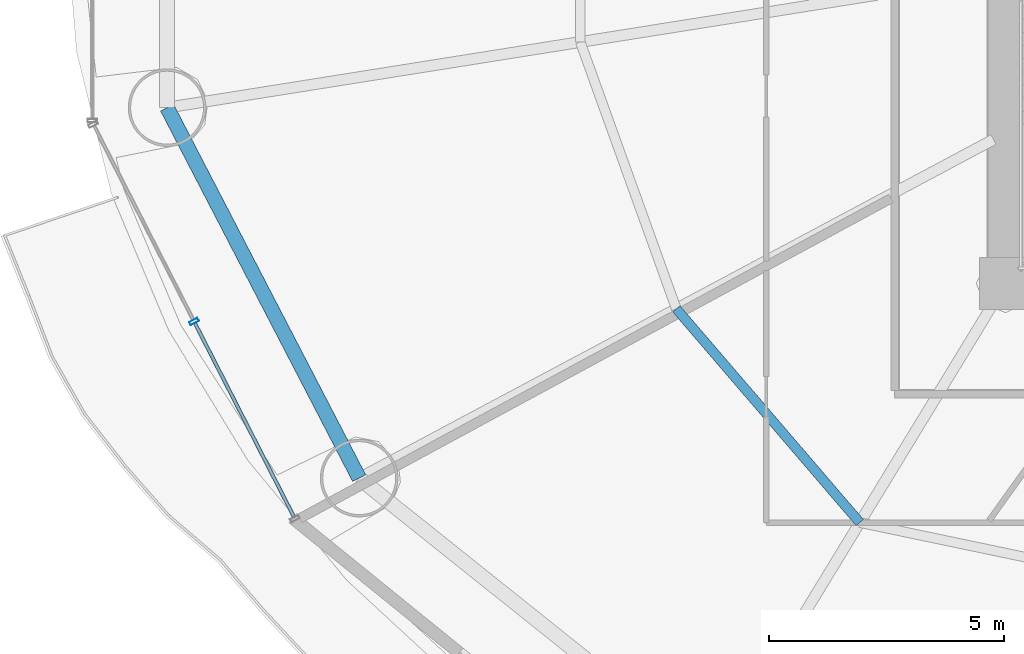
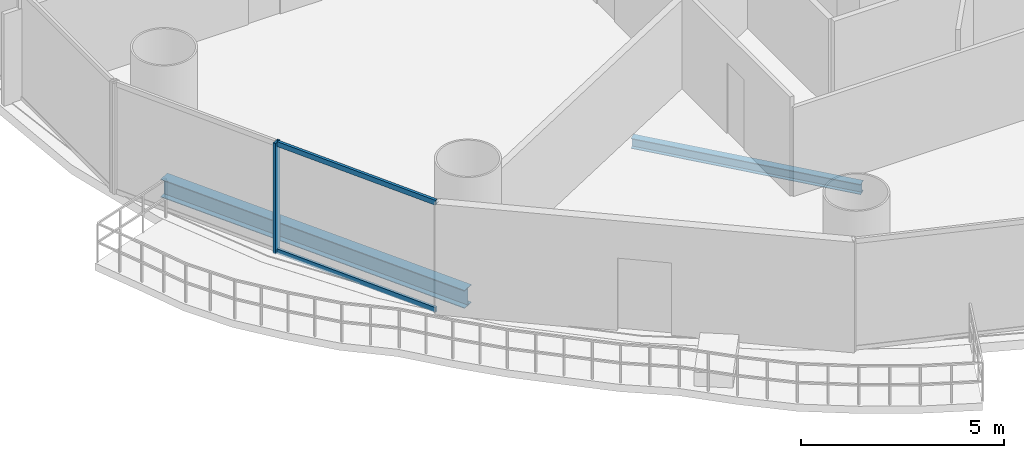
# One storey, part 3 of 30: 3 members, 2 beams, 1 element without a shape of its own.
"""IFC4 building model written with IfcOpenShell, lengths in metres."""

import ifcopenshell
import ifcopenshell.guid

model = None  # the IFC model being written
_history = None  # IfcOwnerHistory: only IFC2X3 demands one
_inside = {}  # id of a spatial element -> (the spatial element, [elements in it])
_under = {}  # id of a project, library or spatial element -> (it, [spatial elements below it])
_declared = {}  # id of a project -> (the project, [libraries it declares])
_typed = {}  # id of a type object -> (the type object, [elements of that type])
_made_of = {}  # id of a material, layer set ... -> (it, [elements and type objects made of it])


def new_model(schema):
    """Start an empty IFC model of exactly this schema.

    Asked for "IFC4X3", IfcOpenShell would pick the latest addendum, in which some entities
    have other attributes; the version numbers below select the first issue.
    IFC2X3 requires an IfcOwnerHistory on every rooted entity: one is made here for all.
    """
    global model, _history
    if schema == "IFC4X3":
        model = ifcopenshell.file(schema_version=(4, 3, 0, 0))
    else:
        model = ifcopenshell.file(schema=schema)
    _inside.clear()
    _under.clear()
    _declared.clear()
    _typed.clear()
    _made_of.clear()
    _history = None
    if model.schema == "IFC2X3":
        org = make("IfcOrganization", Name="unknown")
        user = make(
            "IfcPersonAndOrganization",
            ThePerson=make("IfcPerson", FamilyName="unknown"),
            TheOrganization=org,
        )
        app = make(
            "IfcApplication",
            ApplicationDeveloper=org,
            Version="unknown",
            ApplicationFullName="unknown",
            ApplicationIdentifier="unknown",
        )
        _history = make(
            "IfcOwnerHistory",
            OwningUser=user,
            OwningApplication=app,
            ChangeAction="ADDED",
            CreationDate=0,
        )
    return model


def make(cls, **values):
    """One entity of the class cls with the attributes given. An attribute that is None is left unset."""
    return model.create_entity(
        cls, **{name: value for name, value in values.items() if value is not None}
    )


def rooted(cls, **values):
    """An entity with a GlobalId (a new one), such as an element, a storey or a relation."""
    return make(cls, GlobalId=ifcopenshell.guid.new(), OwnerHistory=_history, **values)


def si_unit(unit_type, name, prefix=None):
    """IfcSIUnit, for example si_unit("LENGTHUNIT", "METRE", prefix="MILLI")."""
    return make("IfcSIUnit", UnitType=unit_type, Prefix=prefix, Name=name)


def assignment(units):
    """IfcUnitAssignment: the units of a project."""
    return None if units is None else make("IfcUnitAssignment", Units=units)


def point(xyz):
    """IfcCartesianPoint."""
    return None if xyz is None else make("IfcCartesianPoint", Coordinates=xyz)


def direction(xyz):
    """IfcDirection."""
    return None if xyz is None else make("IfcDirection", DirectionRatios=xyz)


def frame(location, z_axis=None, x_axis=None):
    """IfcAxis2Placement3D, a coordinate frame: its origin and axes. An axis left out is left unset."""
    return make(
        "IfcAxis2Placement3D",
        Location=point(location),
        Axis=direction(z_axis),
        RefDirection=direction(x_axis),
    )


def frame_2d(location, x_axis=None):
    """IfcAxis2Placement2D, a coordinate frame in the plane: its origin and x axis."""
    return make(
        "IfcAxis2Placement2D", Location=point(location), RefDirection=direction(x_axis)
    )


def origin():
    """The frame at (0, 0, 0) with its axes left unset."""
    return frame((0.0, 0.0, 0.0))


def origin_2d():
    """The frame at (0, 0) in the plane with its x axis left unset."""
    return frame_2d((0.0, 0.0))


def place(relative_to, where):
    """IfcLocalPlacement: puts the frame where relative to a parent placement (None: the world)."""
    return make(
        "IfcLocalPlacement", PlacementRelTo=relative_to, RelativePlacement=where
    )


def context(
    kind, dimensions, precision=None, world=None, true_north=None, identifier=None
):
    """IfcGeometricRepresentationContext, for example the 3D "Model" context."""
    return make(
        "IfcGeometricRepresentationContext",
        ContextIdentifier=identifier,
        ContextType=kind,
        CoordinateSpaceDimension=dimensions,
        Precision=precision,
        WorldCoordinateSystem=world,
        TrueNorth=true_north,
    )


def subcontext(parent, identifier, kind, view, scale=None):
    """IfcGeometricRepresentationSubContext, for example "Body" below "Model"."""
    return make(
        "IfcGeometricRepresentationSubContext",
        ContextIdentifier=identifier,
        ContextType=kind,
        ParentContext=parent,
        TargetScale=scale,
        TargetView=view,
    )


def project(units=None, contexts=None):
    """IfcProject with its units and contexts."""
    return rooted(
        "IfcProject",
        Name="project",
        RepresentationContexts=contexts,
        UnitsInContext=assignment(units),
    )


def spatial(cls, under=None, at=None, **own):
    """A site, building, storey or space (cls), placed at a placement, below another one or the project."""
    s = rooted(cls, ObjectPlacement=at, **own)
    if under is not None:
        _under.setdefault(under.id(), (under, []))[1].append(s)
    return s


def profile(cls, at=None, kind="AREA", **sizes):
    """A parametric profile (cls). Its sizes go by their IFC names, for example OverallWidth=200.0."""
    return make(cls, ProfileType=kind, Position=at, **sizes)


def hollow_rectangle(**sizes):
    """IfcRectangleHollowProfileDef."""
    return profile("IfcRectangleHollowProfileDef", **sizes)


def i_section(**sizes):
    """IfcIShapeProfileDef."""
    return profile("IfcIShapeProfileDef", **sizes)


def extrude(swept, where, along, depth):
    """IfcExtrudedAreaSolid: the profile swept, set in the frame where, extruded along a direction by depth."""
    return make(
        "IfcExtrudedAreaSolid",
        SweptArea=swept,
        Position=where,
        ExtrudedDirection=direction(along),
        Depth=depth,
    )


def shape(context_of_items, identifier, shape_type, items):
    """IfcShapeRepresentation: the items that make up one representation, for example the "Body"."""
    return make(
        "IfcShapeRepresentation",
        ContextOfItems=context_of_items,
        RepresentationIdentifier=identifier,
        RepresentationType=shape_type,
        Items=items,
    )


def source(mapping_origin, context_of_items, identifier, shape_type, items):
    """IfcRepresentationMap: a shape defined once, which mapped items show again and again."""
    return make(
        "IfcRepresentationMap",
        MappingOrigin=mapping_origin,
        MappedRepresentation=shape(context_of_items, identifier, shape_type, items),
    )


def transform(
    local_origin,
    x_axis=None,
    y_axis=None,
    z_axis=None,
    scale=None,
    scale2=None,
    scale3=None,
    uniform=True,
):
    """IfcCartesianTransformationOperator3D, or its non-uniform kind. x_axis, y_axis, z_axis: its Axis1, 2, 3."""
    if uniform:
        return make(
            "IfcCartesianTransformationOperator3D",
            Axis1=direction(x_axis),
            Axis2=direction(y_axis),
            LocalOrigin=point(local_origin),
            Scale=scale,
            Axis3=direction(z_axis),
        )
    return make(
        "IfcCartesianTransformationOperator3DnonUniform",
        Axis1=direction(x_axis),
        Axis2=direction(y_axis),
        LocalOrigin=point(local_origin),
        Scale=scale,
        Axis3=direction(z_axis),
        Scale2=scale2,
        Scale3=scale3,
    )


def mapped(mapping_source, mapping_target):
    """IfcMappedItem: shows the shape of a source again, moved by a transform."""
    return make(
        "IfcMappedItem", MappingSource=mapping_source, MappingTarget=mapping_target
    )


def material(Name=None, Category=None):
    """IfcMaterial."""
    return make("IfcMaterial", Name=Name, Category=Category)


def material_profile(
    of_material, cross_section, Name=None, Category=None, Priority=None
):
    """IfcMaterialProfile: a cross section and its material."""
    return make(
        "IfcMaterialProfile",
        Name=Name,
        Material=of_material,
        Profile=cross_section,
        Priority=Priority,
        Category=Category,
    )


def profile_set(profiles, Name=None, composite=None):
    """IfcMaterialProfileSet."""
    return make(
        "IfcMaterialProfileSet",
        Name=Name,
        MaterialProfiles=profiles,
        CompositeProfile=composite,
    )


def made_of(thing, what):
    """Note that an element or type object is made of a material, layer set ...; save() writes the relation."""
    if what is not None:
        _made_of.setdefault(what.id(), (what, []))[1].append(thing)
    return thing


def type_object(cls, material=None, **own):
    """A type object (cls), such as IfcWallType, which elements share."""
    return made_of(rooted(cls, **own), material)


def element(
    cls,
    number,
    at=None,
    inside=None,
    cuts=None,
    type_object=None,
    material=None,
    context=None,
    identifier="Body",
    shape_type=None,
    held_by="IfcProductDefinitionShape",
    body=None,
    shapes=None,
    **own,
):
    """One element of the class cls, such as IfcWall. Its Tag is "e" and its number.

    at: its placement. inside: the storey or other place that contains it. cuts: it is an
    opening in that element (IfcRelVoidsElement). A single representation is given by context,
    identifier, shape_type and body (its items); several are given by shapes. held_by: the class
    of the entity that holds the representations. save() writes the other relations.
    """
    e = rooted(cls, Tag="e%d" % number, ObjectPlacement=at, **own)
    if body is not None:
        shapes = [shape(context, identifier, shape_type, body)]
    if shapes is not None:
        e.Representation = make(held_by, Representations=shapes)
    if inside is not None:
        _inside.setdefault(inside.id(), (inside, []))[1].append(e)
    if cuts is not None:
        rooted(
            "IfcRelVoidsElement", RelatingBuildingElement=cuts, RelatedOpeningElement=e
        )
    if type_object is not None:
        _typed.setdefault(type_object.id(), (type_object, []))[1].append(e)
    return made_of(e, material)


def aggregate(whole, parts):
    """IfcRelAggregates: a whole, such as a stair, and the parts it consists of."""
    return rooted("IfcRelAggregates", RelatingObject=whole, RelatedObjects=parts)


def save(model, path):
    """Write the relations noted so far, then the file.

    IfcRelAggregates (storeys below a building ...), IfcRelContainedInSpatialStructure (elements
    in a storey), IfcRelDefinesByType, IfcRelAssociatesMaterial and IfcRelDeclares: one each for
    every whole, place, type object, material and project.
    """
    for whole, parts in _under.values():
        aggregate(whole, parts)
    for where, things in _inside.values():
        rooted(
            "IfcRelContainedInSpatialStructure",
            RelatedElements=things,
            RelatingStructure=where,
        )
    for kind, things in _typed.values():
        rooted("IfcRelDefinesByType", RelatedObjects=things, RelatingType=kind)
    for what, things in _made_of.values():
        rooted("IfcRelAssociatesMaterial", RelatedObjects=things, RelatingMaterial=what)
    for by, libraries in _declared.values():
        rooted("IfcRelDeclares", RelatingContext=by, RelatedDefinitions=libraries)
    model.write(path)


model = new_model("IFC4")

# Units and contexts
model_context = context("Model", 3, precision=1e-05, world=origin(), true_north=direction((-0.2419218956, 0.970295726276)))
body_context = subcontext(model_context, "Body", "Model", "MODEL_VIEW")
ifc_project = project(units=[si_unit("LENGTHUNIT", "METRE"), si_unit("AREAUNIT", "SQUARE_METRE"), si_unit("VOLUMEUNIT", "CUBIC_METRE"), si_unit("PLANEANGLEUNIT", "RADIAN"), si_unit("MASSUNIT", "GRAM", prefix="KILO")], contexts=[model_context])

# Site, building, storey
site_placement = place(None, origin())
site = spatial("IfcSite", under=ifc_project, at=site_placement, CompositionType="ELEMENT")
building_placement = place(site_placement, origin())
building = spatial("IfcBuilding", under=site, at=building_placement, Name="Cobrevalo Terracotta Tower", CompositionType="ELEMENT")
storey_placement = place(building_placement, frame((0.0, 0.0, 63.60009765625)))
storey = spatial("IfcBuildingStorey", under=building, at=storey_placement, Name="L16", CompositionType="ELEMENT", Elevation=63.60009765625)

# Beams
ifc_material_1 = material(Name="Steel S355", Category="steel")
ifc_material_profile_1 = material_profile(ifc_material_1, i_section(OverallWidth=0.2041015625, OverallDepth=0.305908203125, WebThickness=0.008544921875, FlangeThickness=0.0146484375, at=origin_2d()), Name="W 310x67")
ifc_profile_set_1 = profile_set([ifc_material_profile_1], Name="Steel S355")
beam_type_1 = type_object("IfcBeamType", Name="Structural Joist W 310x67 (Steel S355)", PredefinedType="JOIST", material=ifc_profile_set_1)
beam_1_placement = place(storey_placement, frame((22.002197265625, 18.26025390625, -0.43310546875), z_axis=(0.651328404454, -0.758795960421, 0.0), x_axis=(0.758795960421, 0.651328404454, 0.0)))
element("IfcBeam", 1, at=beam_1_placement, inside=storey, type_object=beam_type_1, Name="L16 circumferential secondary floor joist 10", PredefinedType="JOIST", context=body_context, shape_type="SweptSolid", body=[
    extrude(i_section(OverallWidth=0.2041015625, OverallDepth=0.305908203125, WebThickness=0.008544921875, FlangeThickness=0.0146484375, at=origin_2d()), origin(), (0.0, 0.0, 1.0), 5.98828125),
])
ifc_material_profile_2 = material_profile(ifc_material_1, i_section(OverallWidth=0.31201171875, OverallDepth=0.54296875, WebThickness=0.0126953125, FlangeThickness=0.020263671875, at=origin_2d()), Name="W 530x150")
ifc_profile_set_2 = profile_set([ifc_material_profile_2], Name="Steel S355")
beam_type_2 = type_object("IfcBeamType", Name="Structural Spandrel W 530x150 (Steel S355)", PredefinedType="SPANDREL", material=ifc_profile_set_2)
beam_2_placement = place(storey_placement, frame((11.175537109375, 22.537353515625, -0.551513671875), z_axis=(0.460285838799, -0.88777077368, 0.0), x_axis=(0.88777077368, 0.460285838799, 0.0)))
element("IfcBeam", 2, at=beam_2_placement, inside=storey, type_object=beam_type_2, Name="L16 perimeter ring spandrel 09", PredefinedType="SPANDREL", context=body_context, shape_type="SweptSolid", body=[
    extrude(i_section(OverallWidth=0.31201171875, OverallDepth=0.54296875, WebThickness=0.0126953125, FlangeThickness=0.020263671875, at=origin_2d()), origin(), (0.0, 0.0, 1.0), 8.8720703125),
])

# Curtain wall, members
ifc_material_2 = material(Name="Anodized aluminium", Category="aluminium")
curtain_wall_type = type_object("IfcCurtainWallType", Name="Lower-tower unitised acoustic low-E curtain wall CW-U1", PredefinedType="NOTDEFINED", material=ifc_material_2)
curtain_wall_placement = place(storey_placement, origin())
curtain_wall = element("IfcCurtainWall", 3, at=curtain_wall_placement, inside=storey, type_object=curtain_wall_type, Name="L16 curtain wall CW-L16-S09", PredefinedType="NOTDEFINED")
ifc_material_profile_3 = material_profile(ifc_material_2, hollow_rectangle(XDim=0.074951171875, YDim=0.199951171875, WallThickness=0.0048828125, at=origin_2d()), Name="CWM 75x200")
ifc_profile_set_3 = profile_set([ifc_material_profile_3], Name="Anodized aluminium")
member_type_1 = type_object("IfcMemberType", Name="Lower/mid tower unitised mullion 75x200", PredefinedType="MULLION", material=ifc_profile_set_3)
shared_shape_1 = source(origin(), body_context, "Body", "SweptSolid", [
    extrude(hollow_rectangle(XDim=0.074951171875, YDim=0.199951171875, WallThickness=0.0048828125, at=origin_2d()), origin(), (0.0, 0.0, 1.0), 3.31982421875),
])
member_1_placement = place(storey_placement, frame((11.74951171875, 17.990966796875, 0.0), z_axis=(0.0, 0.0, 1.0), x_axis=(0.455234136597, -0.890371765543, 0.0)))
member_1 = element("IfcMember", 4, at=member_1_placement, type_object=member_type_1, Name="CW-L16-S09 vertical mullion 02", PredefinedType="MULLION", context=body_context, shape_type="MappedRepresentation", body=[
    mapped(shared_shape_1, transform((0.0, 0.0, 0.0), scale=1.0)),
])
ifc_material_profile_4 = material_profile(ifc_material_2, hollow_rectangle(XDim=0.074951171875, YDim=0.14990234375, WallThickness=0.00439453125, at=origin_2d()), Name="CWT 75x150")
ifc_profile_set_4 = profile_set([ifc_material_profile_4], Name="Anodized aluminium")
member_type_2 = type_object("IfcMemberType", Name="Tower unitised aluminium transom 75x150", PredefinedType="USERDEFINED", material=ifc_profile_set_4)
shared_shape_2 = source(origin(), body_context, "Body", "SweptSolid", [
    extrude(hollow_rectangle(XDim=0.074951171875, YDim=0.14990234375, WallThickness=0.00439453125, at=origin_2d()), origin(), (0.0, 0.0, 1.0), 4.631103515625),
])
member_2_placement = place(storey_placement, frame((11.767578125, 17.955322265625, 0.0498046875), z_axis=(0.455271744945, -0.89035253594, 0.0), x_axis=(0.89035253594, 0.455271744945, 0.0)))
member_2 = element("IfcMember", 5, at=member_2_placement, type_object=member_type_2, Name="CW-L16-S09 transom B02-T1", ObjectType="TRANSOM", PredefinedType="USERDEFINED", context=body_context, shape_type="MappedRepresentation", body=[
    mapped(shared_shape_2, transform((0.0, 0.0, 0.0), scale=1.0)),
])
member_3_placement = place(storey_placement, frame((11.767578125, 17.955322265625, 3.27001953125), z_axis=(0.455271744945, -0.89035253594, 0.0), x_axis=(0.89035253594, 0.455271744945, 0.0)))
member_3 = element("IfcMember", 6, at=member_3_placement, type_object=member_type_2, Name="CW-L16-S09 transom B02-T2", ObjectType="TRANSOM", PredefinedType="USERDEFINED", context=body_context, shape_type="MappedRepresentation", body=[
    mapped(shared_shape_2, transform((0.0, 0.0, 0.0), scale=1.0)),
])
aggregate(curtain_wall, [member_1, member_2, member_3])

save(model, "model.ifc")
